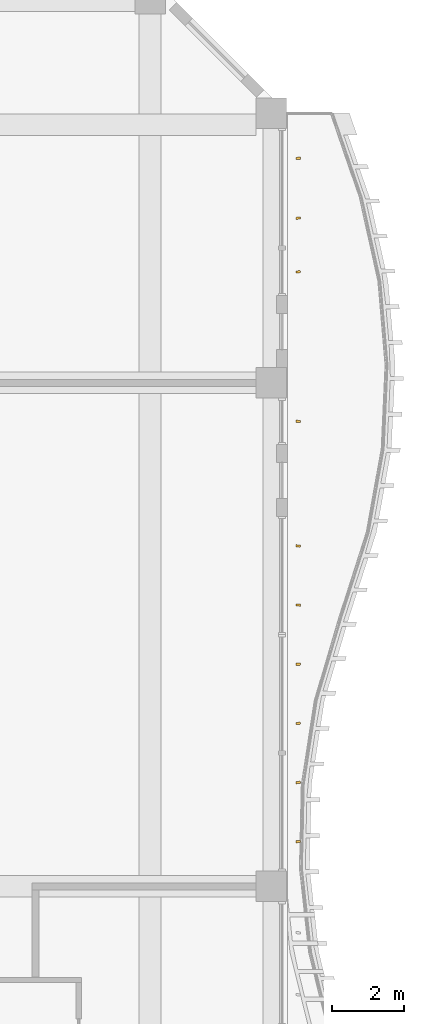
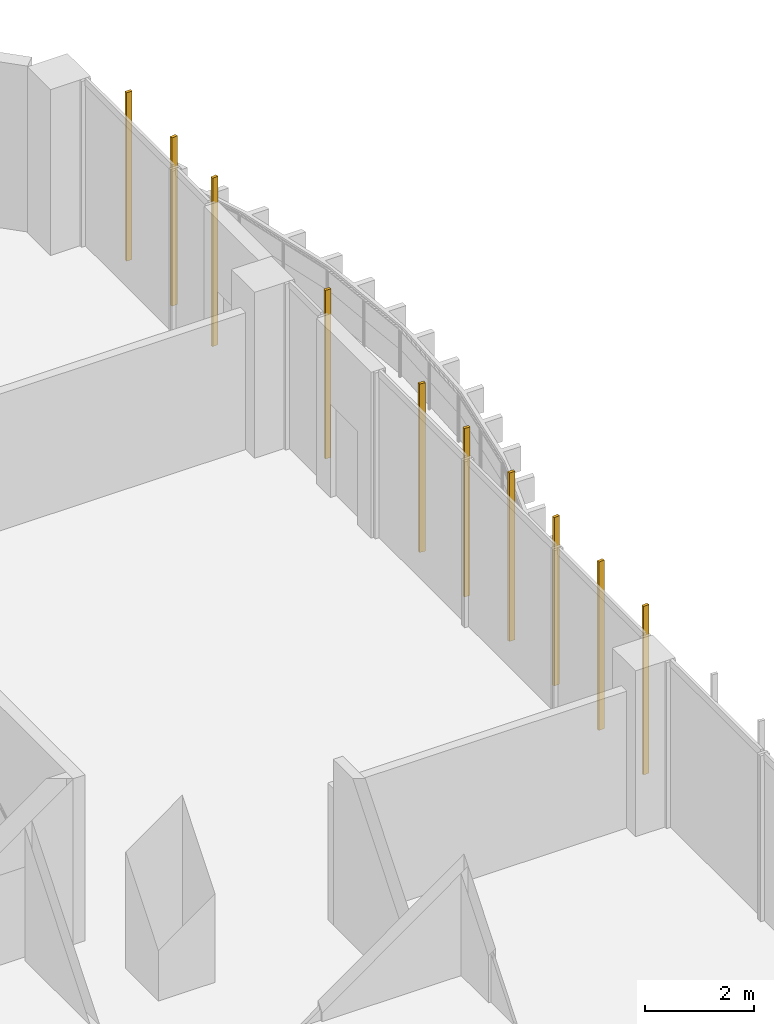
# One storey, part 25 of 25: 10 shading devices.
"""IFC4 building model written with IfcOpenShell, lengths in metres."""

from ifc_helpers import new_model, si_unit, direction, frame, origin, origin_2d, place, context, subcontext, project, spatial, rectangle, extrude, source, transform, mapped, material, material_profile, profile_set, type_object, element, save


model = new_model("IFC4")

# Units and contexts
model_context = context("Model", 3, precision=1e-05, world=origin(), true_north=direction((0.0, 1.0)))
body_context = subcontext(model_context, "Body", "Model", "MODEL_VIEW")
ifc_project = project(units=[si_unit("LENGTHUNIT", "METRE"), si_unit("AREAUNIT", "SQUARE_METRE"), si_unit("VOLUMEUNIT", "CUBIC_METRE"), si_unit("PLANEANGLEUNIT", "RADIAN"), si_unit("MASSUNIT", "GRAM", prefix="KILO")], contexts=[model_context])

# Site, building, storey
site_placement = place(None, origin())
site = spatial("IfcSite", under=ifc_project, at=site_placement, CompositionType="ELEMENT")
building_placement = place(site_placement, origin())
building = spatial("IfcBuilding", under=site, at=building_placement, Name="Kilnfold Tower and Market Hall", CompositionType="ELEMENT")
storey_placement = place(building_placement, frame((0.0, 0.0, 120.60009765625)))
storey = spatial("IfcBuildingStorey", under=building, at=storey_placement, Name="L28", CompositionType="ELEMENT", Elevation=120.60009765625)

# Shading devices
ifc_material = material(Name="Terracotta", Category="masonry")
ifc_material_profile = material_profile(ifc_material, rectangle(XDim=0.06005859375, YDim=0.1201171875, at=origin_2d()), Name="BAG 60x120")
ifc_profile_set = profile_set([ifc_material_profile], Name="Terracotta")
shading_device_type = type_object("IfcShadingDeviceType", Name="BAGUETTE", PredefinedType="USERDEFINED", material=ifc_profile_set)
shared_shape = source(origin(), body_context, "Body", "SweptSolid", [
    extrude(rectangle(XDim=0.06005859375, YDim=0.1201171875, at=origin_2d()), origin(), (0.0, 0.0, 1.0), 3.77978515625),
])
for number, where, z_axis, x_axis, name in (
    (1, (33.300048828125, 9.246826171875, 0.0), (0.0, 0.0, 1.0), (-0.079770948946, 0.996813220069, 0.0), "Terracotta baguette L28 E"),
    (2, (33.300048828125, 10.890625, 0.0), (0.0, 0.0, 1.0), (-0.135710384889, 0.990748551063, 0.0), "Terracotta baguette L28 E"),
    (3, (33.300048828125, 12.534423828125, 0.0), (0.0, 0.0, 1.0), (-0.121320179394, 0.9926134263, 0.0), "Terracotta baguette L28 E"),
    (4, (33.300048828125, 14.177978515625, 0.0), (0.0, 0.0, 1.0), (-0.043854781344, 0.999037916274, 0.0), "Terracotta baguette L28 E"),
    (5, (33.300048828125, 15.822021484375, 0.0), (0.0, 0.0, 1.0), (0.056663164661, 0.998393352227, 0.0), "Terracotta baguette L28 E"),
    (6, (33.300048828125, 17.465576171875, 0.0), (0.0, 0.0, 1.0), (0.127428148359, 0.991847804356, 0.0), "Terracotta baguette L28 E"),
    (7, (33.300048828125, 20.931396484375, 0.0), (0.0, 0.0, 1.0), (0.058224397249, 0.998303520762, 0.0), "Terracotta baguette L28 E"),
    (8, (33.300048828125, 25.08740234375, 0.0), (0.0, 0.0, 1.0), (-0.137899196773, 0.990446268875, 0.0), "Terracotta baguette L28 E"),
    (9, (33.300048828125, 26.581298828125, 0.0), (0.0, 0.0, 1.0), (-0.119861336752, 0.992790642559, 0.0), "Terracotta baguette L28 E"),
    (10, (33.300048828125, 28.243896484375, 0.0), (0.0, 0.0, 1.0), (-0.039936472368, 0.999202220862, 0.0), "Terracotta baguette L28 E"),
):
    element("IfcShadingDevice", number, at=place(storey_placement, frame(where, z_axis=z_axis, x_axis=x_axis)), inside=storey, type_object=shading_device_type, Name=name, ObjectType="BAGUETTE", PredefinedType="USERDEFINED", context=body_context, shape_type="MappedRepresentation", body=[
        mapped(shared_shape, transform((0.0, 0.0, 0.0))),
    ])

save(model, "model.ifc")
